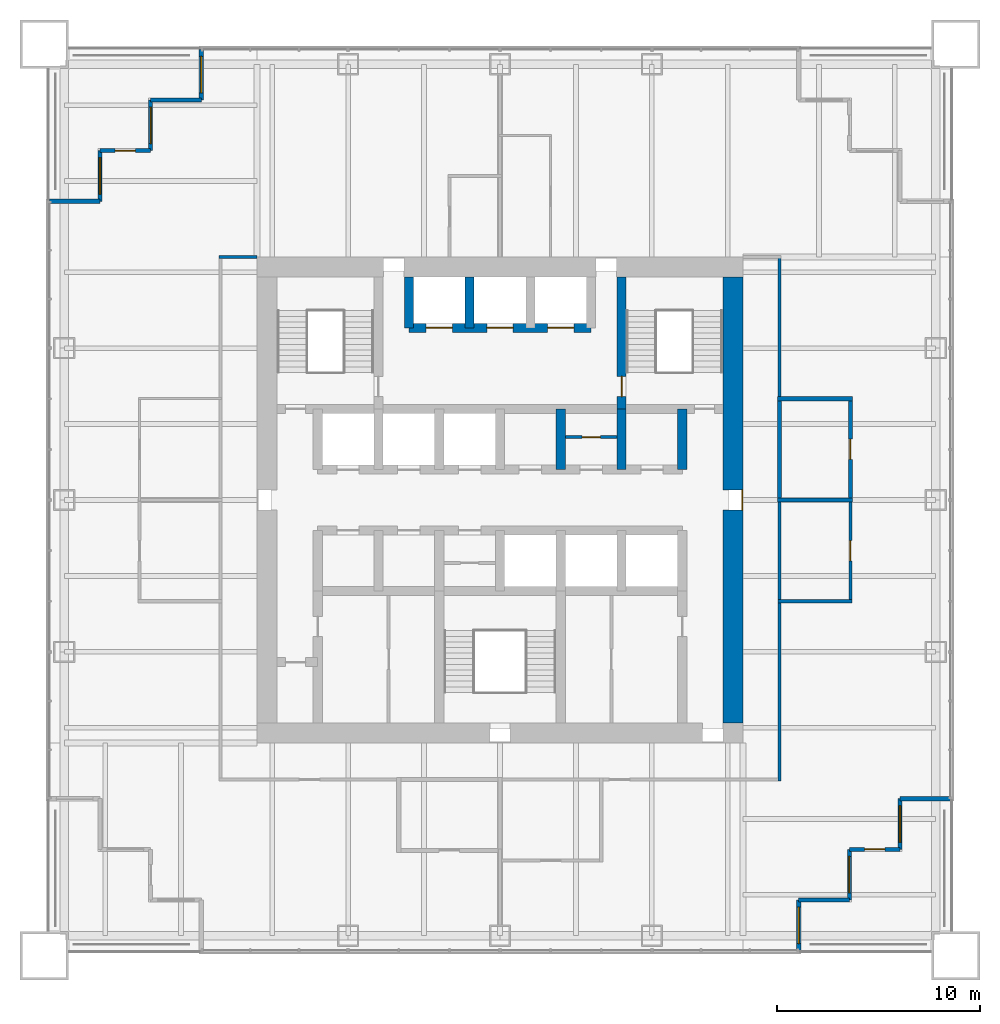
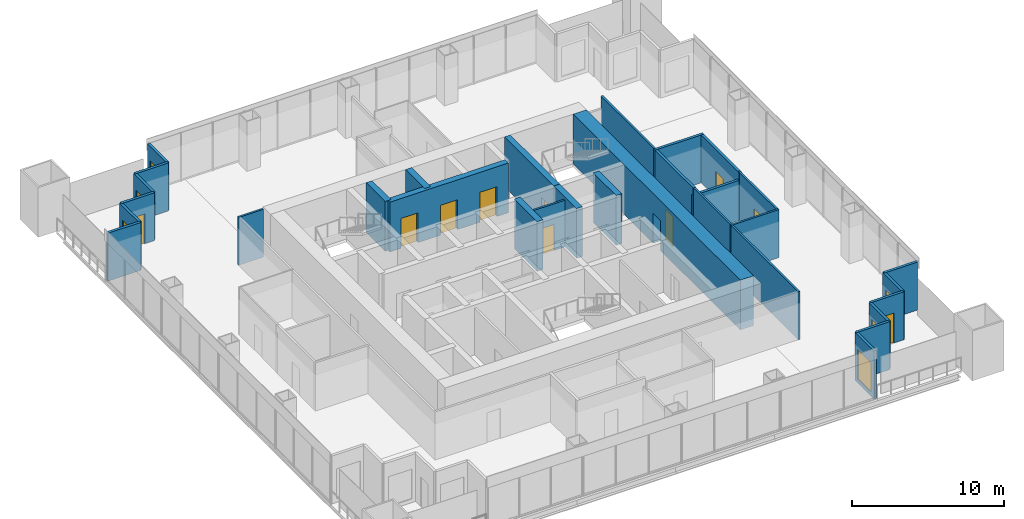
# One storey, part 10 of 13: 30 walls, 10 doors, 6 windows, 16 openings.
"""IFC4 building model written with IfcOpenShell, lengths in metres."""

from ifc_helpers import new_model, si_unit, direction, frame, frame_2d, origin, place, context, subcontext, project, spatial, rectangle, extrude, material, layer, layer_set, type_object, element, fill, save


model = new_model("IFC4")

# Units and contexts
model_context = context("Model", 3, precision=1e-05, world=origin(), true_north=direction((0.0, 1.0)))
body_context = subcontext(model_context, "Body", "Model", "MODEL_VIEW")
ifc_project = project(units=[si_unit("LENGTHUNIT", "METRE"), si_unit("AREAUNIT", "SQUARE_METRE"), si_unit("VOLUMEUNIT", "CUBIC_METRE"), si_unit("PLANEANGLEUNIT", "RADIAN"), si_unit("MASSUNIT", "GRAM", prefix="KILO")], contexts=[model_context])

# Site, building, storey
site_placement = place(None, origin())
site = spatial("IfcSite", under=ifc_project, at=site_placement, CompositionType="ELEMENT")
building_placement = place(site_placement, origin())
building = spatial("IfcBuilding", under=site, at=building_placement, Name="Tarangal Relay Tower", CompositionType="ELEMENT")
storey_placement = place(building_placement, frame((0.0, 0.0, 217.89990234375)))
storey = spatial("IfcBuildingStorey", under=building, at=storey_placement, Name="L46", CompositionType="ELEMENT", Elevation=217.89990234375)

# Walls
ifc_material_1 = material(Name="Two layers gypsum board each side on twin steel studs, mineral wool", Category="steel")
ifc_layer_1 = layer(ifc_material_1, 0.199951171875)
ifc_layer_set_1 = layer_set([ifc_layer_1], Name="Acoustic partition 200")
wall_type_1 = type_object("IfcWallType", Name="Acoustic partition 200", PredefinedType="PARTITIONING", material=ifc_layer_set_1)
wall_1_placement = place(storey_placement, frame((13.699951171875, 0.0, 0.0), z_axis=(0.0, 0.0, 1.0), x_axis=(1.0, 0.0, 0.0)))
element("IfcWall", 1, at=wall_1_placement, inside=storey, type_object=wall_type_1, Name="Partition PT2 L46", PredefinedType="PARTITIONING", context=body_context, shape_type="SweptSolid", body=[
    extrude(rectangle(XDim=3.699951171875, YDim=0.199951171875, at=frame_2d((1.85009765625, 0.0))), origin(), (0.0, 0.0, 1.0), 3.238037109375),
])
wall_2_placement = place(storey_placement, frame((13.699951171875, 5.0, 0.0), z_axis=(0.0, 0.0, 1.0), x_axis=(1.0, 0.0, 0.0)))
element("IfcWall", 2, at=wall_2_placement, inside=storey, type_object=wall_type_1, Name="Partition PT2 L46", PredefinedType="PARTITIONING", context=body_context, shape_type="SweptSolid", body=[
    extrude(rectangle(XDim=3.699951171875, YDim=0.199951171875, at=frame_2d((1.85009765625, 0.0))), origin(), (0.0, 0.0, 1.0), 3.85009765625),
])
wall_3_placement = place(storey_placement, frame((13.800048828125, -0.10009765625, 0.0), z_axis=(0.0, 0.0, 1.0), x_axis=(0.0, 1.0, 0.0)))
element("IfcWall", 3, at=wall_3_placement, inside=storey, type_object=wall_type_1, Name="Partition PT2 L46", PredefinedType="PARTITIONING", context=body_context, shape_type="SweptSolid", body=[
    extrude(rectangle(XDim=5.2001953125, YDim=0.199951171875, at=frame_2d((2.60009765625, 0.0))), origin(), (0.0, 0.0, 1.0), 3.85009765625),
])

# Wall, opening, door
wall_4_placement = place(storey_placement, frame((17.300048828125, -0.10009765625, 0.0), z_axis=(0.0, 0.0, 1.0), x_axis=(0.0, 1.0, 0.0)))
wall_4 = element("IfcWall", 4, at=wall_4_placement, inside=storey, type_object=wall_type_1, Name="Partition PT2 L46", PredefinedType="PARTITIONING", context=body_context, shape_type="SweptSolid", body=[
    extrude(rectangle(XDim=5.2001953125, YDim=0.199951171875, at=frame_2d((2.60009765625, 0.0))), origin(), (0.0, 0.0, 1.0), 3.85009765625),
])
opening_1_placement = place(wall_4_placement, frame((2.10009765625, 0.0, 0.0)))
opening_1 = element("IfcOpeningElement", 5, at=opening_1_placement, cuts=wall_4, Name="Opening D2", PredefinedType="OPENING", context=body_context, shape_type="SweptSolid", body=[
    extrude(rectangle(XDim=1.0, YDim=2.10009765625, at=frame_2d((0.5, 1.050048828125))), frame((0.0, 0.10986328125, 0.0), z_axis=(0.0, -1.0, 0.0), x_axis=(1.0, 0.0, 0.0)), (0.0, 0.0, 1.0), 0.219970703125),
])
ifc_material_2 = material(Name="Hardwood door", Category="wood")
door_type_1 = type_object("IfcDoorType", Name="Door 1000 x 2100", OperationType="SINGLE_SWING_LEFT", PredefinedType="DOOR", material=ifc_material_2)
door_1_placement = place(opening_1_placement, origin())
door_1 = element("IfcDoor", 6, at=door_1_placement, inside=storey, type_object=door_type_1, Name="Door D2 to meeting room L46-04", OperationType="SINGLE_SWING_LEFT", OverallHeight=2.10009765625, OverallWidth=1.0, PredefinedType="DOOR", context=body_context, shape_type="SweptSolid", body=[
    extrude(rectangle(XDim=1.0, YDim=2.10009765625, at=frame_2d((0.5, 1.050048828125))), frame((0.0, 0.02490234375, 0.0), z_axis=(0.0, -1.0, 0.0), x_axis=(1.0, 0.0, 0.0)), (0.0, 0.0, 1.0), 0.050048828125),
])
fill(opening_1, door_1)

# Wall, openings, doors
ifc_material_3 = material(Name="Concrete fc' 60 MPa", Category="concrete")
ifc_layer_2 = layer(ifc_material_3, 0.449951171875)
ifc_layer_set_2 = layer_set([ifc_layer_2], Name="Core inner wall 450")
wall_type_2 = type_object("IfcWallType", Name="Core inner wall 450", PredefinedType="SHEAR", material=ifc_layer_set_2)
wall_5_placement = place(storey_placement, frame((-4.5, 8.5, 0.0), z_axis=(0.0, 0.0, 1.0), x_axis=(1.0, 0.0, 0.0)))
wall_5 = element("IfcWall", 7, at=wall_5_placement, inside=storey, type_object=wall_type_2, Name="Core wall Y85 L46", PredefinedType="SHEAR", context=body_context, shape_type="SweptSolid", body=[
    extrude(rectangle(XDim=9.0, YDim=0.449951171875, at=frame_2d((4.5, 0.0))), origin(), (0.0, 0.0, 1.0), 4.0),
])
opening_2_placement = place(wall_5_placement, frame((0.85009765625, 0.0, 0.0)))
opening_2 = element("IfcOpeningElement", 8, at=opening_2_placement, cuts=wall_5, Name="Opening LD2", PredefinedType="OPENING", context=body_context, shape_type="SweptSolid", body=[
    extrude(rectangle(XDim=1.300048828125, YDim=2.39990234375, at=frame_2d((0.64990234375, 1.199951171875))), frame((0.0, 0.23486328125, 0.0), z_axis=(0.0, -1.0, 0.0), x_axis=(1.0, 0.0, 0.0)), (0.0, 0.0, 1.0), 0.469970703125),
])
opening_3_placement = place(wall_5_placement, frame((6.85009765625, 0.0, 0.0)))
opening_3 = element("IfcOpeningElement", 9, at=opening_3_placement, cuts=wall_5, Name="Opening LD2", PredefinedType="OPENING", context=body_context, shape_type="SweptSolid", body=[
    extrude(rectangle(XDim=1.300048828125, YDim=2.39990234375, at=frame_2d((0.64990234375, 1.199951171875))), frame((0.0, 0.23486328125, 0.0), z_axis=(0.0, -1.0, 0.0), x_axis=(1.0, 0.0, 0.0)), (0.0, 0.0, 1.0), 0.469970703125),
])
opening_4_placement = place(wall_5_placement, frame((3.85009765625, 0.0, 0.0)))
opening_4 = element("IfcOpeningElement", 10, at=opening_4_placement, cuts=wall_5, Name="Opening LD2", PredefinedType="OPENING", context=body_context, shape_type="SweptSolid", body=[
    extrude(rectangle(XDim=1.300048828125, YDim=2.39990234375, at=frame_2d((0.64990234375, 1.199951171875))), frame((0.0, 0.23486328125, 0.0), z_axis=(0.0, -1.0, 0.0), x_axis=(1.0, 0.0, 0.0)), (0.0, 0.0, 1.0), 0.469970703125),
])
ifc_material_4 = material(Name="Steel door with hardwood frame", Category="steel")
door_type_2 = type_object("IfcDoorType", Name="Lift landing door 1300 x 2400", OperationType="SLIDING_TO_LEFT", PredefinedType="DOOR", material=ifc_material_4)
door_2_placement = place(opening_2_placement, origin())
door_2 = element("IfcDoor", 11, at=door_2_placement, inside=storey, type_object=door_type_2, Name="Lift FF1 landing door L46", OperationType="SLIDING_TO_LEFT", OverallHeight=2.39990234375, OverallWidth=1.300048828125, PredefinedType="DOOR", context=body_context, shape_type="SweptSolid", body=[
    extrude(rectangle(XDim=1.300048828125, YDim=2.39990234375, at=frame_2d((0.64990234375, 1.199951171875))), frame((0.0, 0.02490234375, 0.0), z_axis=(0.0, -1.0, 0.0), x_axis=(1.0, 0.0, 0.0)), (0.0, 0.0, 1.0), 0.050048828125),
])
fill(opening_2, door_2)
door_3_placement = place(opening_3_placement, origin())
door_3 = element("IfcDoor", 12, at=door_3_placement, inside=storey, type_object=door_type_2, Name="Lift FF2 landing door L46", OperationType="SLIDING_TO_LEFT", OverallHeight=2.39990234375, OverallWidth=1.300048828125, PredefinedType="DOOR", context=body_context, shape_type="SweptSolid", body=[
    extrude(rectangle(XDim=1.300048828125, YDim=2.39990234375, at=frame_2d((0.64990234375, 1.199951171875))), frame((0.0, 0.02490234375, 0.0), z_axis=(0.0, -1.0, 0.0), x_axis=(1.0, 0.0, 0.0)), (0.0, 0.0, 1.0), 0.050048828125),
])
fill(opening_3, door_3)
door_4_placement = place(opening_4_placement, origin())
door_4 = element("IfcDoor", 13, at=door_4_placement, inside=storey, type_object=door_type_2, Name="Lift SV1 landing door L46", OperationType="SLIDING_TO_LEFT", OverallHeight=2.39990234375, OverallWidth=1.300048828125, PredefinedType="DOOR", context=body_context, shape_type="SweptSolid", body=[
    extrude(rectangle(XDim=1.300048828125, YDim=2.39990234375, at=frame_2d((0.64990234375, 1.199951171875))), frame((0.0, 0.02490234375, 0.0), z_axis=(0.0, -1.0, 0.0), x_axis=(1.0, 0.0, 0.0)), (0.0, 0.0, 1.0), 0.050048828125),
])
fill(opening_4, door_4)

# Walls
for number, where, z_axis, x_axis, name in (
    (14, (9.0, 1.5, 0.0), (0.0, 0.0, 1.0), (0.0, 1.0, 0.0), "Core wall X9N L46"),
    (15, (3.0, 1.5, 0.0), (0.0, 0.0, 1.0), (0.0, 1.0, 0.0), "Core wall X3N L46"),
    (16, (6.0, 1.5, 0.0), (0.0, 0.0, 1.0), (0.0, 1.0, 0.0), "Core wall X6N L46"),
):
    element("IfcWall", number, at=place(storey_placement, frame(where, z_axis=z_axis, x_axis=x_axis)), inside=storey, type_object=wall_type_2, Name=name, PredefinedType="SHEAR", context=body_context, shape_type="SweptSolid", body=[
        extrude(rectangle(XDim=3.0, YDim=0.449951171875, at=frame_2d((1.5, 0.0))), origin(), (0.0, 0.0, 1.0), 4.0),
    ])

# Wall, opening, door
wall_6_placement = place(storey_placement, frame((6.0, 4.5, 0.0), z_axis=(0.0, 0.0, 1.0), x_axis=(0.0, 1.0, 0.0)))
wall_6 = element("IfcWall", 17, at=wall_6_placement, inside=storey, type_object=wall_type_2, Name="Core wall X6 L46", PredefinedType="SHEAR", context=body_context, shape_type="SweptSolid", body=[
    extrude(rectangle(XDim=6.5, YDim=0.449951171875, at=frame_2d((3.25, 0.0))), origin(), (0.0, 0.0, 1.0), 4.0),
])
opening_5_placement = place(wall_6_placement, frame((0.60009765625, 0.0, 0.0)))
opening_5 = element("IfcOpeningElement", 18, at=opening_5_placement, cuts=wall_6, Name="Opening FD1", PredefinedType="OPENING", context=body_context, shape_type="SweptSolid", body=[
    extrude(rectangle(XDim=1.0, YDim=2.10009765625, at=frame_2d((0.5, 1.050048828125))), frame((0.0, 0.23486328125, 0.0), z_axis=(0.0, -1.0, 0.0), x_axis=(1.0, 0.0, 0.0)), (0.0, 0.0, 1.0), 0.469970703125),
])
door_type_3 = type_object("IfcDoorType", Name="Fire door 1000 x 2100", OperationType="SINGLE_SWING_LEFT", PredefinedType="DOOR", material=ifc_material_4)
door_5_placement = place(opening_5_placement, origin())
door_5 = element("IfcDoor", 19, at=door_5_placement, inside=storey, type_object=door_type_3, Name="Stair ST-B door from fire-fighting lobby L46", OperationType="SINGLE_SWING_LEFT", OverallHeight=2.10009765625, OverallWidth=1.0, PredefinedType="DOOR", context=body_context, shape_type="SweptSolid", body=[
    extrude(rectangle(XDim=1.0, YDim=2.10009765625, at=frame_2d((0.5, 1.050048828125))), frame((0.0, 0.02490234375, 0.0), z_axis=(0.0, -1.0, 0.0), x_axis=(1.0, 0.0, 0.0)), (0.0, 0.0, 1.0), 0.050048828125),
])
fill(opening_5, door_5)

# Walls
for number, where, z_axis, x_axis, name in (
    (20, (-4.5, 8.5, 0.0), (0.0, 0.0, 1.0), (0.0, 1.0, 0.0), "Core wall XM45 L46"),
    (21, (-1.5, 8.5, 0.0), (0.0, 0.0, 1.0), (0.0, 1.0, 0.0), "Core wall XM15 L46"),
):
    element("IfcWall", number, at=place(storey_placement, frame(where, z_axis=z_axis, x_axis=x_axis)), inside=storey, type_object=wall_type_2, Name=name, PredefinedType="SHEAR", context=body_context, shape_type="SweptSolid", body=[
        extrude(rectangle(XDim=2.5, YDim=0.449951171875, at=frame_2d((1.25, 0.0))), origin(), (0.0, 0.0, 1.0), 4.0),
    ])

# Wall, opening, door
ifc_layer_3 = layer(ifc_material_3, 1.0)
ifc_layer_set_3 = layer_set([ifc_layer_3], Name="Core wall 1000")
wall_type_3 = type_object("IfcWallType", Name="Core wall 1000", PredefinedType="SHEAR", material=ifc_layer_set_3)
wall_7_placement = place(storey_placement, frame((11.5, 11.0, 0.0), z_axis=(0.0, 0.0, 1.0), x_axis=(0.0, -1.0, 0.0)))
wall_7 = element("IfcWall", 22, at=wall_7_placement, inside=storey, type_object=wall_type_3, Name="Core wall E L46", PredefinedType="SHEAR", context=body_context, shape_type="SweptSolid", body=[
    extrude(rectangle(XDim=22.0, YDim=1.0, at=frame_2d((11.0, 0.0))), origin(), (0.0, 0.0, 1.0), 4.0),
])
opening_6_placement = place(wall_7_placement, frame((10.5, 0.0, 0.0)))
opening_6 = element("IfcOpeningElement", 23, at=opening_6_placement, cuts=wall_7, Name="Opening FD3", PredefinedType="OPENING", context=body_context, shape_type="SweptSolid", body=[
    extrude(rectangle(XDim=1.0, YDim=2.39990234375, at=frame_2d((0.5, 1.199951171875))), frame((0.0, 0.510009765625, 0.0), z_axis=(0.0, -1.0, 0.0), x_axis=(1.0, 0.0, 0.0)), (0.0, 0.0, 1.0), 1.02001953125),
])
door_type_4 = type_object("IfcDoorType", Name="Fire door 1000 x 2400 core entry", OperationType="SINGLE_SWING_RIGHT", PredefinedType="DOOR", material=ifc_material_4)
door_6_placement = place(opening_6_placement, origin())
door_6 = element("IfcDoor", 24, at=door_6_placement, inside=storey, type_object=door_type_4, Name="Core entry door east L46", OperationType="SINGLE_SWING_RIGHT", OverallHeight=2.39990234375, OverallWidth=1.0, PredefinedType="DOOR", context=body_context, shape_type="SweptSolid", body=[
    extrude(rectangle(XDim=1.0, YDim=2.39990234375, at=frame_2d((0.5, 1.199951171875))), frame((0.0, 0.48486328125, 0.0), z_axis=(0.0, -1.0, 0.0), x_axis=(1.0, 0.0, 0.0)), (0.0, 0.0, 1.0), 0.050048828125),
])
fill(opening_6, door_6)

# Wall
ifc_material_5 = material(Name="Black metal clad insulated wall", Category="steel")
ifc_layer_4 = layer(ifc_material_5, 0.199951171875)
ifc_layer_set_4 = layer_set([ifc_layer_4], Name="Corner wall metal clad 200")
wall_type_4 = type_object("IfcWallType", Name="Corner wall metal clad 200", PredefinedType="SOLIDWALL", material=ifc_layer_set_4)
wall_8_placement = place(storey_placement, frame((22.25, -14.75, 0.0), z_axis=(0.0, 0.0, 1.0), x_axis=(-1.0, 0.0, 0.0)))
element("IfcWall", 25, at=wall_8_placement, inside=storey, type_object=wall_type_4, Name="Facade wall E facade L46", PredefinedType="SOLIDWALL", context=body_context, shape_type="SweptSolid", body=[
    extrude(rectangle(XDim=2.5, YDim=0.199951171875, at=frame_2d((1.25, 0.0))), origin(), (0.0, 0.0, 1.0), 3.85009765625),
])

# Wall, opening, window
wall_9_placement = place(storey_placement, frame((19.75, -14.75, 0.0), z_axis=(0.0, 0.0, 1.0), x_axis=(0.0, -1.0, 0.0)))
wall_9 = element("IfcWall", 26, at=wall_9_placement, inside=storey, type_object=wall_type_4, Name="Facade wall E facade L46", PredefinedType="SOLIDWALL", context=body_context, shape_type="SweptSolid", body=[
    extrude(rectangle(XDim=2.5, YDim=0.199951171875, at=frame_2d((1.25, 0.0))), origin(), (0.0, 0.0, 1.0), 3.85009765625),
])
opening_7_placement = place(wall_9_placement, frame((0.35009765625, 0.0, 0.300048828125)))
opening_7 = element("IfcOpeningElement", 27, at=opening_7_placement, cuts=wall_9, Name="Opening WN2", PredefinedType="OPENING", context=body_context, shape_type="SweptSolid", body=[
    extrude(rectangle(XDim=1.800048828125, YDim=2.39990234375, at=frame_2d((0.89990234375, 1.199951171875))), frame((0.0, 0.10986328125, 0.0), z_axis=(0.0, -1.0, 0.0), x_axis=(1.0, 0.0, 0.0)), (0.0, 0.0, 1.0), 0.219970703125),
])
ifc_material_6 = material(Name="Dark tinted double glazing in black aluminium frame", Category="aluminium")
window_type = type_object("IfcWindowType", Name="Corner window 1800 x 2400", PartitioningType="SINGLE_PANEL", PredefinedType="WINDOW", material=ifc_material_6)
window_1_placement = place(opening_7_placement, origin())
window_1 = element("IfcWindow", 28, at=window_1_placement, inside=storey, type_object=window_type, Name="Corner window WN2 E facade L46", OverallHeight=2.39990234375, OverallWidth=1.800048828125, PartitioningType="SINGLE_PANEL", PredefinedType="WINDOW", context=body_context, shape_type="SweptSolid", body=[
    extrude(rectangle(XDim=1.800048828125, YDim=2.39990234375, at=frame_2d((0.89990234375, 1.199951171875))), frame((0.0, 0.030029296875, 0.0), z_axis=(0.0, -1.0, 0.0), x_axis=(1.0, 0.0, 0.0)), (0.0, 0.0, 1.0), 0.06005859375),
])
fill(opening_7, window_1)

# Wall, opening, door
wall_10_placement = place(storey_placement, frame((19.75, -17.25, 0.0), z_axis=(0.0, 0.0, 1.0), x_axis=(-1.0, 0.0, 0.0)))
wall_10 = element("IfcWall", 29, at=wall_10_placement, inside=storey, type_object=wall_type_4, Name="Facade wall E facade L46", PredefinedType="SOLIDWALL", context=body_context, shape_type="SweptSolid", body=[
    extrude(rectangle(XDim=2.5, YDim=0.199951171875, at=frame_2d((1.25, 0.0))), origin(), (0.0, 0.0, 1.0), 3.85009765625),
])
opening_8_placement = place(wall_10_placement, frame((0.75, 0.0, 0.0)))
opening_8 = element("IfcOpeningElement", 30, at=opening_8_placement, cuts=wall_10, Name="Opening TD1", PredefinedType="OPENING", context=body_context, shape_type="SweptSolid", body=[
    extrude(rectangle(XDim=1.0, YDim=2.39990234375, at=frame_2d((0.5, 1.199951171875))), frame((0.0, 0.10986328125, 0.0), z_axis=(0.0, -1.0, 0.0), x_axis=(1.0, 0.0, 0.0)), (0.0, 0.0, 1.0), 0.219970703125),
])
ifc_material_7 = material(Name="Aluminium glazed door", Category="aluminium")
door_type_5 = type_object("IfcDoorType", Name="Terrace door 1000 x 2400", OperationType="SINGLE_SWING_RIGHT", PredefinedType="DOOR", material=ifc_material_7)
door_7_placement = place(opening_8_placement, origin())
door_7 = element("IfcDoor", 31, at=door_7_placement, inside=storey, type_object=door_type_5, Name="Terrace door TD1 SE L46", OperationType="SINGLE_SWING_RIGHT", OverallHeight=2.39990234375, OverallWidth=1.0, PredefinedType="DOOR", context=body_context, shape_type="SweptSolid", body=[
    extrude(rectangle(XDim=1.0, YDim=2.39990234375, at=frame_2d((0.5, 1.199951171875))), frame((0.0, 0.02490234375, 0.0), z_axis=(0.0, -1.0, 0.0), x_axis=(1.0, 0.0, 0.0)), (0.0, 0.0, 1.0), 0.050048828125),
])
fill(opening_8, door_7)

# Wall, opening, window
wall_11_placement = place(storey_placement, frame((17.25, -17.25, 0.0), z_axis=(0.0, 0.0, 1.0), x_axis=(0.0, -1.0, 0.0)))
wall_11 = element("IfcWall", 32, at=wall_11_placement, inside=storey, type_object=wall_type_4, Name="Facade wall E facade L46", PredefinedType="SOLIDWALL", context=body_context, shape_type="SweptSolid", body=[
    extrude(rectangle(XDim=2.5, YDim=0.199951171875, at=frame_2d((1.25, 0.0))), origin(), (0.0, 0.0, 1.0), 3.85009765625),
])
opening_9_placement = place(wall_11_placement, frame((0.35009765625, 0.0, 0.300048828125)))
opening_9 = element("IfcOpeningElement", 33, at=opening_9_placement, cuts=wall_11, Name="Opening WN2", PredefinedType="OPENING", context=body_context, shape_type="SweptSolid", body=[
    extrude(rectangle(XDim=1.800048828125, YDim=2.39990234375, at=frame_2d((0.89990234375, 1.199951171875))), frame((0.0, 0.10986328125, 0.0), z_axis=(0.0, -1.0, 0.0), x_axis=(1.0, 0.0, 0.0)), (0.0, 0.0, 1.0), 0.219970703125),
])
window_2_placement = place(opening_9_placement, origin())
window_2 = element("IfcWindow", 34, at=window_2_placement, inside=storey, type_object=window_type, Name="Corner window WN2 E facade L46", OverallHeight=2.39990234375, OverallWidth=1.800048828125, PartitioningType="SINGLE_PANEL", PredefinedType="WINDOW", context=body_context, shape_type="SweptSolid", body=[
    extrude(rectangle(XDim=1.800048828125, YDim=2.39990234375, at=frame_2d((0.89990234375, 1.199951171875))), frame((0.0, 0.030029296875, 0.0), z_axis=(0.0, -1.0, 0.0), x_axis=(1.0, 0.0, 0.0)), (0.0, 0.0, 1.0), 0.06005859375),
])
fill(opening_9, window_2)

# Wall
wall_12_placement = place(storey_placement, frame((17.25, -19.75, 0.0), z_axis=(0.0, 0.0, 1.0), x_axis=(-1.0, 0.0, 0.0)))
element("IfcWall", 35, at=wall_12_placement, inside=storey, type_object=wall_type_4, Name="Facade wall E facade L46", PredefinedType="SOLIDWALL", context=body_context, shape_type="SweptSolid", body=[
    extrude(rectangle(XDim=2.5, YDim=0.199951171875, at=frame_2d((1.25, 0.0))), origin(), (0.0, 0.0, 1.0), 3.85009765625),
])

# Wall, opening, window
wall_13_placement = place(storey_placement, frame((14.75, -19.75, 0.0), z_axis=(0.0, 0.0, 1.0), x_axis=(0.0, -1.0, 0.0)))
wall_13 = element("IfcWall", 36, at=wall_13_placement, inside=storey, type_object=wall_type_4, Name="Facade wall E facade L46", PredefinedType="SOLIDWALL", context=body_context, shape_type="SweptSolid", body=[
    extrude(rectangle(XDim=2.5, YDim=0.199951171875, at=frame_2d((1.25, 0.0))), origin(), (0.0, 0.0, 1.0), 3.85009765625),
])
opening_10_placement = place(wall_13_placement, frame((0.35009765625, 0.0, 0.300048828125)))
opening_10 = element("IfcOpeningElement", 37, at=opening_10_placement, cuts=wall_13, Name="Opening WN2", PredefinedType="OPENING", context=body_context, shape_type="SweptSolid", body=[
    extrude(rectangle(XDim=1.800048828125, YDim=2.39990234375, at=frame_2d((0.89990234375, 1.199951171875))), frame((0.0, 0.10986328125, 0.0), z_axis=(0.0, -1.0, 0.0), x_axis=(1.0, 0.0, 0.0)), (0.0, 0.0, 1.0), 0.219970703125),
])
window_3_placement = place(opening_10_placement, origin())
window_3 = element("IfcWindow", 38, at=window_3_placement, inside=storey, type_object=window_type, Name="Corner window WN2 E facade L46", OverallHeight=2.39990234375, OverallWidth=1.800048828125, PartitioningType="SINGLE_PANEL", PredefinedType="WINDOW", context=body_context, shape_type="SweptSolid", body=[
    extrude(rectangle(XDim=1.800048828125, YDim=2.39990234375, at=frame_2d((0.89990234375, 1.199951171875))), frame((0.0, 0.030029296875, 0.0), z_axis=(0.0, -1.0, 0.0), x_axis=(1.0, 0.0, 0.0)), (0.0, 0.0, 1.0), 0.06005859375),
])
fill(opening_10, window_3)

# Wall
wall_14_placement = place(storey_placement, frame((-22.25, 14.75, 0.0), z_axis=(0.0, 0.0, 1.0), x_axis=(1.0, 0.0, 0.0)))
element("IfcWall", 39, at=wall_14_placement, inside=storey, type_object=wall_type_4, Name="Facade wall W facade L46", PredefinedType="SOLIDWALL", context=body_context, shape_type="SweptSolid", body=[
    extrude(rectangle(XDim=2.5, YDim=0.199951171875, at=frame_2d((1.25, 0.0))), origin(), (0.0, 0.0, 1.0), 3.85009765625),
])

# Wall, opening, window
wall_15_placement = place(storey_placement, frame((-19.75, 14.75, 0.0), z_axis=(0.0, 0.0, 1.0), x_axis=(0.0, 1.0, 0.0)))
wall_15 = element("IfcWall", 40, at=wall_15_placement, inside=storey, type_object=wall_type_4, Name="Facade wall W facade L46", PredefinedType="SOLIDWALL", context=body_context, shape_type="SweptSolid", body=[
    extrude(rectangle(XDim=2.5, YDim=0.199951171875, at=frame_2d((1.25, 0.0))), origin(), (0.0, 0.0, 1.0), 3.85009765625),
])
opening_11_placement = place(wall_15_placement, frame((0.35009765625, 0.0, 0.300048828125)))
opening_11 = element("IfcOpeningElement", 41, at=opening_11_placement, cuts=wall_15, Name="Opening WN2", PredefinedType="OPENING", context=body_context, shape_type="SweptSolid", body=[
    extrude(rectangle(XDim=1.800048828125, YDim=2.39990234375, at=frame_2d((0.89990234375, 1.199951171875))), frame((0.0, 0.10986328125, 0.0), z_axis=(0.0, -1.0, 0.0), x_axis=(1.0, 0.0, 0.0)), (0.0, 0.0, 1.0), 0.219970703125),
])
window_4_placement = place(opening_11_placement, origin())
window_4 = element("IfcWindow", 42, at=window_4_placement, inside=storey, type_object=window_type, Name="Corner window WN2 W facade L46", OverallHeight=2.39990234375, OverallWidth=1.800048828125, PartitioningType="SINGLE_PANEL", PredefinedType="WINDOW", context=body_context, shape_type="SweptSolid", body=[
    extrude(rectangle(XDim=1.800048828125, YDim=2.39990234375, at=frame_2d((0.89990234375, 1.199951171875))), frame((0.0, 0.030029296875, 0.0), z_axis=(0.0, -1.0, 0.0), x_axis=(1.0, 0.0, 0.0)), (0.0, 0.0, 1.0), 0.06005859375),
])
fill(opening_11, window_4)

# Wall, opening, door
wall_16_placement = place(storey_placement, frame((-19.75, 17.25, 0.0), z_axis=(0.0, 0.0, 1.0), x_axis=(1.0, 0.0, 0.0)))
wall_16 = element("IfcWall", 43, at=wall_16_placement, inside=storey, type_object=wall_type_4, Name="Facade wall W facade L46", PredefinedType="SOLIDWALL", context=body_context, shape_type="SweptSolid", body=[
    extrude(rectangle(XDim=2.5, YDim=0.199951171875, at=frame_2d((1.25, 0.0))), origin(), (0.0, 0.0, 1.0), 3.85009765625),
])
opening_12_placement = place(wall_16_placement, frame((0.75, 0.0, 0.0)))
opening_12 = element("IfcOpeningElement", 44, at=opening_12_placement, cuts=wall_16, Name="Opening TD1", PredefinedType="OPENING", context=body_context, shape_type="SweptSolid", body=[
    extrude(rectangle(XDim=1.0, YDim=2.39990234375, at=frame_2d((0.5, 1.199951171875))), frame((0.0, 0.10986328125, 0.0), z_axis=(0.0, -1.0, 0.0), x_axis=(1.0, 0.0, 0.0)), (0.0, 0.0, 1.0), 0.219970703125),
])
door_8_placement = place(opening_12_placement, origin())
door_8 = element("IfcDoor", 45, at=door_8_placement, inside=storey, type_object=door_type_5, Name="Terrace door TD1 NW L46", OperationType="SINGLE_SWING_RIGHT", OverallHeight=2.39990234375, OverallWidth=1.0, PredefinedType="DOOR", context=body_context, shape_type="SweptSolid", body=[
    extrude(rectangle(XDim=1.0, YDim=2.39990234375, at=frame_2d((0.5, 1.199951171875))), frame((0.0, 0.02490234375, 0.0), z_axis=(0.0, -1.0, 0.0), x_axis=(1.0, 0.0, 0.0)), (0.0, 0.0, 1.0), 0.050048828125),
])
fill(opening_12, door_8)

# Wall, opening, window
wall_17_placement = place(storey_placement, frame((-17.25, 17.25, 0.0), z_axis=(0.0, 0.0, 1.0), x_axis=(0.0, 1.0, 0.0)))
wall_17 = element("IfcWall", 46, at=wall_17_placement, inside=storey, type_object=wall_type_4, Name="Facade wall W facade L46", PredefinedType="SOLIDWALL", context=body_context, shape_type="SweptSolid", body=[
    extrude(rectangle(XDim=2.5, YDim=0.199951171875, at=frame_2d((1.25, 0.0))), origin(), (0.0, 0.0, 1.0), 3.85009765625),
])
opening_13_placement = place(wall_17_placement, frame((0.35009765625, 0.0, 0.300048828125)))
opening_13 = element("IfcOpeningElement", 47, at=opening_13_placement, cuts=wall_17, Name="Opening WN2", PredefinedType="OPENING", context=body_context, shape_type="SweptSolid", body=[
    extrude(rectangle(XDim=1.800048828125, YDim=2.39990234375, at=frame_2d((0.89990234375, 1.199951171875))), frame((0.0, 0.10986328125, 0.0), z_axis=(0.0, -1.0, 0.0), x_axis=(1.0, 0.0, 0.0)), (0.0, 0.0, 1.0), 0.219970703125),
])
window_5_placement = place(opening_13_placement, origin())
window_5 = element("IfcWindow", 48, at=window_5_placement, inside=storey, type_object=window_type, Name="Corner window WN2 W facade L46", OverallHeight=2.39990234375, OverallWidth=1.800048828125, PartitioningType="SINGLE_PANEL", PredefinedType="WINDOW", context=body_context, shape_type="SweptSolid", body=[
    extrude(rectangle(XDim=1.800048828125, YDim=2.39990234375, at=frame_2d((0.89990234375, 1.199951171875))), frame((0.0, 0.030029296875, 0.0), z_axis=(0.0, -1.0, 0.0), x_axis=(1.0, 0.0, 0.0)), (0.0, 0.0, 1.0), 0.06005859375),
])
fill(opening_13, window_5)

# Wall
wall_18_placement = place(storey_placement, frame((-17.25, 19.75, 0.0), z_axis=(0.0, 0.0, 1.0), x_axis=(1.0, 0.0, 0.0)))
element("IfcWall", 49, at=wall_18_placement, inside=storey, type_object=wall_type_4, Name="Facade wall W facade L46", PredefinedType="SOLIDWALL", context=body_context, shape_type="SweptSolid", body=[
    extrude(rectangle(XDim=2.5, YDim=0.199951171875, at=frame_2d((1.25, 0.0))), origin(), (0.0, 0.0, 1.0), 3.85009765625),
])

# Wall, opening, window
wall_19_placement = place(storey_placement, frame((-14.75, 19.75, 0.0), z_axis=(0.0, 0.0, 1.0), x_axis=(0.0, 1.0, 0.0)))
wall_19 = element("IfcWall", 50, at=wall_19_placement, inside=storey, type_object=wall_type_4, Name="Facade wall W facade L46", PredefinedType="SOLIDWALL", context=body_context, shape_type="SweptSolid", body=[
    extrude(rectangle(XDim=2.5, YDim=0.199951171875, at=frame_2d((1.25, 0.0))), origin(), (0.0, 0.0, 1.0), 3.85009765625),
])
opening_14_placement = place(wall_19_placement, frame((0.35009765625, 0.0, 0.300048828125)))
opening_14 = element("IfcOpeningElement", 51, at=opening_14_placement, cuts=wall_19, Name="Opening WN2", PredefinedType="OPENING", context=body_context, shape_type="SweptSolid", body=[
    extrude(rectangle(XDim=1.800048828125, YDim=2.39990234375, at=frame_2d((0.89990234375, 1.199951171875))), frame((0.0, 0.10986328125, 0.0), z_axis=(0.0, -1.0, 0.0), x_axis=(1.0, 0.0, 0.0)), (0.0, 0.0, 1.0), 0.219970703125),
])
window_6_placement = place(opening_14_placement, origin())
window_6 = element("IfcWindow", 52, at=window_6_placement, inside=storey, type_object=window_type, Name="Corner window WN2 W facade L46", OverallHeight=2.39990234375, OverallWidth=1.800048828125, PartitioningType="SINGLE_PANEL", PredefinedType="WINDOW", context=body_context, shape_type="SweptSolid", body=[
    extrude(rectangle(XDim=1.800048828125, YDim=2.39990234375, at=frame_2d((0.89990234375, 1.199951171875))), frame((0.0, 0.030029296875, 0.0), z_axis=(0.0, -1.0, 0.0), x_axis=(1.0, 0.0, 0.0)), (0.0, 0.0, 1.0), 0.06005859375),
])
fill(opening_14, window_6)

# Walls
ifc_material_8 = material(Name="Gypsum board on steel studs", Category="steel")
ifc_layer_5 = layer(ifc_material_8, 0.14990234375)
ifc_layer_set_5 = layer_set([ifc_layer_5], Name="Partition 150")
wall_type_5 = type_object("IfcWallType", Name="Partition 150", PredefinedType="PARTITIONING", material=ifc_layer_set_5)
wall_20_placement = place(storey_placement, frame((13.72509765625, -5.0, 0.0), z_axis=(0.0, 0.0, 1.0), x_axis=(1.0, 0.0, 0.0)))
element("IfcWall", 53, at=wall_20_placement, inside=storey, type_object=wall_type_5, Name="Partition PT1 L46", PredefinedType="PARTITIONING", context=body_context, shape_type="SweptSolid", body=[
    extrude(rectangle(XDim=3.64990234375, YDim=0.14990234375, at=frame_2d((1.824951171875, 0.0))), origin(), (0.0, 0.0, 1.0), 3.85009765625),
])
wall_21_placement = place(storey_placement, frame((-13.875, 12.0, 0.0), z_axis=(0.0, 0.0, 1.0), x_axis=(1.0, 0.0, 0.0)))
element("IfcWall", 54, at=wall_21_placement, inside=storey, type_object=wall_type_5, Name="Partition PT1 L46", PredefinedType="PARTITIONING", context=body_context, shape_type="SweptSolid", body=[
    extrude(rectangle(XDim=1.875, YDim=0.14990234375, at=frame_2d((0.9375, 0.0))), origin(), (0.0, 0.0, 1.0), 3.85009765625),
])
wall_22_placement = place(storey_placement, frame((13.800048828125, -13.875, 0.0), z_axis=(0.0, 0.0, 1.0), x_axis=(0.0, 1.0, 0.0)))
element("IfcWall", 55, at=wall_22_placement, inside=storey, type_object=wall_type_5, Name="Partition PT1 L46", PredefinedType="PARTITIONING", context=body_context, shape_type="SweptSolid", body=[
    extrude(rectangle(XDim=13.949951171875, YDim=0.14990234375, at=frame_2d((6.97509765625, 0.0))), origin(), (0.0, 0.0, 1.0), 3.85009765625),
])
wall_23_placement = place(storey_placement, frame((13.800048828125, 4.925048828125, 0.0), z_axis=(0.0, 0.0, 1.0), x_axis=(0.0, 1.0, 0.0)))
element("IfcWall", 56, at=wall_23_placement, inside=storey, type_object=wall_type_5, Name="Partition PT1 L46", PredefinedType="PARTITIONING", context=body_context, shape_type="SweptSolid", body=[
    extrude(rectangle(XDim=7.14990234375, YDim=0.14990234375, at=frame_2d((3.574951171875, 0.0))), origin(), (0.0, 0.0, 1.0), 3.85009765625),
])

# Wall, opening, door
wall_24_placement = place(storey_placement, frame((17.300048828125, -5.074951171875, 0.0), z_axis=(0.0, 0.0, 1.0), x_axis=(0.0, 1.0, 0.0)))
wall_24 = element("IfcWall", 57, at=wall_24_placement, inside=storey, type_object=wall_type_5, Name="Partition PT1 L46", PredefinedType="PARTITIONING", context=body_context, shape_type="SweptSolid", body=[
    extrude(rectangle(XDim=5.14990234375, YDim=0.14990234375, at=frame_2d((2.574951171875, 0.0))), origin(), (0.0, 0.0, 1.0), 3.85009765625),
])
opening_15_placement = place(wall_24_placement, frame((2.074951171875, 0.0, 0.0)))
opening_15 = element("IfcOpeningElement", 58, at=opening_15_placement, cuts=wall_24, Name="Opening D2", PredefinedType="OPENING", context=body_context, shape_type="SweptSolid", body=[
    extrude(rectangle(XDim=1.0, YDim=2.10009765625, at=frame_2d((0.5, 1.050048828125))), frame((0.0, 0.0849609375, 0.0), z_axis=(0.0, -1.0, 0.0), x_axis=(1.0, 0.0, 0.0)), (0.0, 0.0, 1.0), 0.169921875),
])
door_9_placement = place(opening_15_placement, origin())
door_9 = element("IfcDoor", 59, at=door_9_placement, inside=storey, type_object=door_type_1, Name="Door D2 to cellular office L46-05", OperationType="SINGLE_SWING_LEFT", OverallHeight=2.10009765625, OverallWidth=1.0, PredefinedType="DOOR", context=body_context, shape_type="SweptSolid", body=[
    extrude(rectangle(XDim=1.0, YDim=2.10009765625, at=frame_2d((0.5, 1.050048828125))), frame((0.0, 0.02490234375, 0.0), z_axis=(0.0, -1.0, 0.0), x_axis=(1.0, 0.0, 0.0)), (0.0, 0.0, 1.0), 0.050048828125),
])
fill(opening_15, door_9)

wall_25_placement = place(storey_placement, frame((3.22509765625, 3.10009765625, 0.0), z_axis=(0.0, 0.0, 1.0), x_axis=(1.0, 0.0, 0.0)))
wall_25 = element("IfcWall", 60, at=wall_25_placement, inside=storey, type_object=wall_type_5, Name="Partition PT1 L46", PredefinedType="PARTITIONING", context=body_context, shape_type="SweptSolid", body=[
    extrude(rectangle(XDim=2.5498046875, YDim=0.14990234375, at=frame_2d((1.27490234375, 0.0))), origin(), (0.0, 0.0, 1.0), 3.75),
])
opening_16_placement = place(wall_25_placement, frame((0.824951171875, 0.0, 0.0)))
opening_16 = element("IfcOpeningElement", 61, at=opening_16_placement, cuts=wall_25, Name="Opening D5", PredefinedType="OPENING", context=body_context, shape_type="SweptSolid", body=[
    extrude(rectangle(XDim=0.89990234375, YDim=2.10009765625, at=frame_2d((0.449951171875, 1.050048828125))), frame((0.0, 0.0849609375, 0.0), z_axis=(0.0, -1.0, 0.0), x_axis=(1.0, 0.0, 0.0)), (0.0, 0.0, 1.0), 0.169921875),
])
door_type_6 = type_object("IfcDoorType", Name="Cupboard door 900 x 2100", OperationType="SINGLE_SWING_LEFT", PredefinedType="DOOR", material=ifc_material_2)
door_10_placement = place(opening_16_placement, origin())
door_10 = element("IfcDoor", 62, at=door_10_placement, inside=storey, type_object=door_type_6, Name="Door D5 to pantry cupboard L46-T2B", OperationType="SINGLE_SWING_LEFT", OverallHeight=2.10009765625, OverallWidth=0.89990234375, PredefinedType="DOOR", context=body_context, shape_type="SweptSolid", body=[
    extrude(rectangle(XDim=0.89990234375, YDim=2.10009765625, at=frame_2d((0.449951171875, 1.050048828125))), frame((0.0, 0.02490234375, 0.0), z_axis=(0.0, -1.0, 0.0), x_axis=(1.0, 0.0, 0.0)), (0.0, 0.0, 1.0), 0.050048828125),
])
fill(opening_16, door_10)

save(model, "model.ifc")
